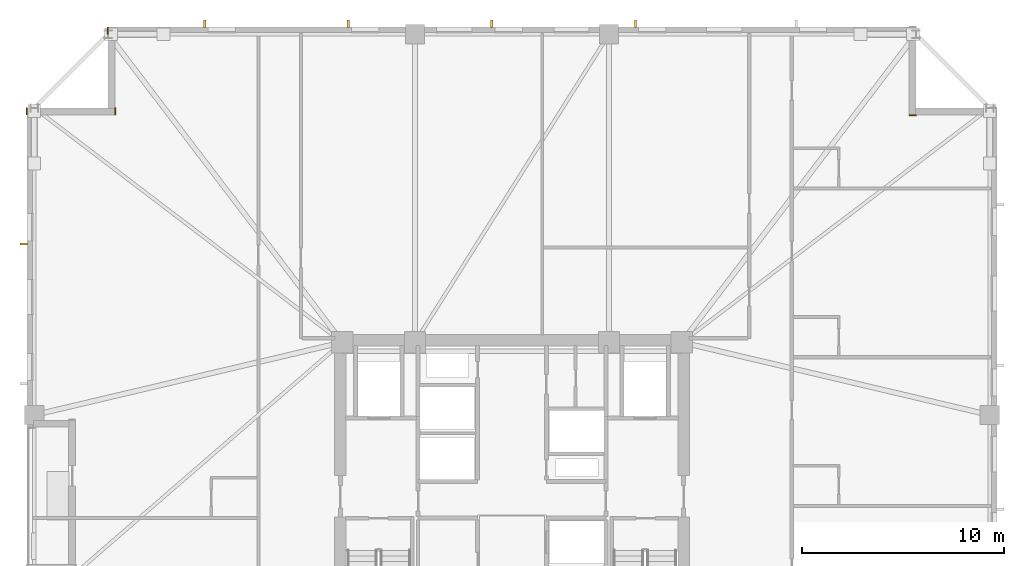
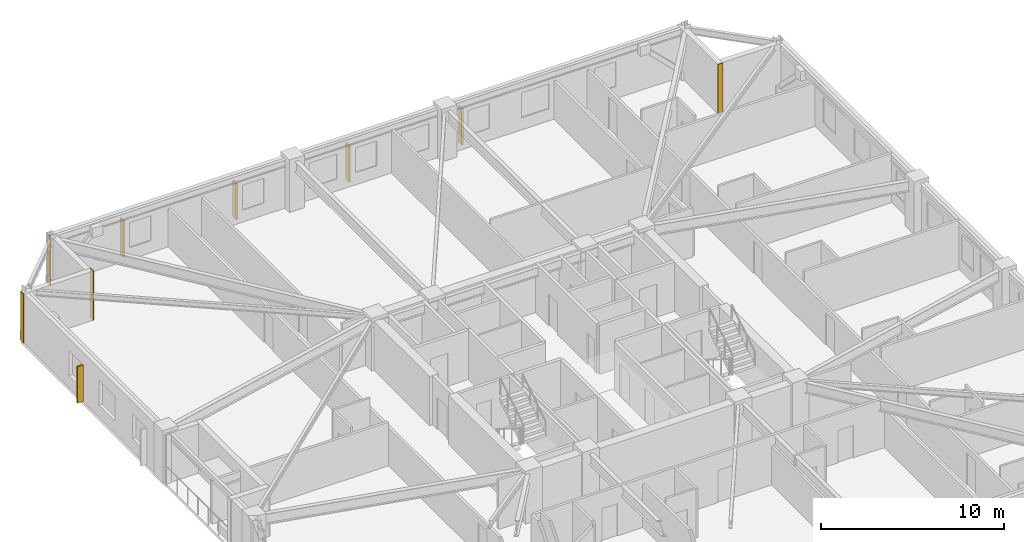
# One storey, part 10 of 11: 5 shading devices, 4 coverings.
"""IFC4 building model written with IfcOpenShell, lengths in metres."""

from ifc_helpers import new_model, si_unit, direction, frame, frame_2d, origin, origin_2d, place, context, subcontext, project, spatial, rectangle, extrude, material, layer, layer_set, type_object, element, save


model = new_model("IFC4")

# Units and contexts
model_context = context("Model", 3, precision=1e-05, world=origin(), true_north=direction((0.0, 1.0)))
body_context = subcontext(model_context, "Body", "Model", "MODEL_VIEW")
ifc_project = project(units=[si_unit("LENGTHUNIT", "METRE"), si_unit("AREAUNIT", "SQUARE_METRE"), si_unit("VOLUMEUNIT", "CUBIC_METRE"), si_unit("PLANEANGLEUNIT", "RADIAN"), si_unit("MASSUNIT", "GRAM", prefix="KILO")], contexts=[model_context])

# Site, building, storey
site_placement = place(None, origin())
site = spatial("IfcSite", under=ifc_project, at=site_placement, CompositionType="ELEMENT")
building_placement = place(site_placement, origin())
building = spatial("IfcBuilding", under=site, at=building_placement, Name="Cairnveth Concourse Tower", CompositionType="ELEMENT")
storey_placement = place(building_placement, frame((0.0, 0.0, 127.0)))
storey = spatial("IfcBuildingStorey", under=building, at=storey_placement, Name="L34", CompositionType="ELEMENT", Elevation=127.0)

# Coverings
ifc_material_1 = material(Name="Dressed Melbourne Bluestone Cladding", Category="masonry")
ifc_layer = layer(ifc_material_1, 0.050048828125)
ifc_layer_set = layer_set([ifc_layer], Name="Dressed Melbourne Bluestone Cladding")
covering_type = type_object("IfcCoveringType", Name="DRESSED BLUESTONE PLINTH CLADDING 50", PredefinedType="CLADDING", material=ifc_layer_set)
for number, where, z_axis, x_axis, name in (
    (1, (27.97998046875, 58.659912109375, 0.0), (0.0, 0.0, 1.0), (0.0, 1.0, 0.0), "Melbourne Bluestone Corner Quoin L34-484"),
    (2, (32.360107421875, 58.659912109375, 0.0), (0.0, 0.0, 1.0), (0.0, 1.0, 0.0), "Melbourne Bluestone Corner Quoin L34-485"),
    (3, (31.97998046875, 62.659912109375, 0.0), (0.0, 0.0, 1.0), (0.0, 1.0, 0.0), "Melbourne Bluestone Corner Quoin L34-486"),
    (4, (71.659912109375, 58.639892578125, 0.0), (0.0, 0.0, 1.0), (1.0, 0.0, 0.0), "Melbourne Bluestone Corner Quoin L34-488"),
):
    element("IfcCovering", number, at=place(storey_placement, frame(where, z_axis=z_axis, x_axis=x_axis)), inside=storey, type_object=covering_type, Name=name, PredefinedType="CLADDING", context=body_context, shape_type="SweptSolid", body=[
        extrude(rectangle(XDim=0.340087890625, YDim=0.050048828125, at=frame_2d((0.169921875, 0.0))), origin(), (0.0, 0.0, 1.0), 3.280029296875),
    ])

# Shading devices
ifc_material_2 = material(Name="Architectural Bronze Anodised Aluminium 6063-T6", Category="aluminium")
shading_device_type = type_object("IfcShadingDeviceType", Name="GOTHIC BRONZE VERTICAL LANCET FIN", PredefinedType="USERDEFINED", material=ifc_material_2)
for number, where, z_axis, x_axis, name in (
    (5, (27.824951171875, 52.2666015625, 0.030029296875), (0.0, 0.0, 1.0), (0.0, 1.0, 0.0), "Gothic Bronze Vertical Fin L34-0-3"),
    (6, (36.791748046875, 63.175048828125, 0.030029296875), (0.0, 0.0, 1.0), (1.0, 0.0, 0.0), "Gothic Bronze Vertical Fin L34-3-1"),
    (7, (43.89892578125, 63.175048828125, 0.030029296875), (0.0, 0.0, 1.0), (1.0, 0.0, 0.0), "Gothic Bronze Vertical Fin L34-3-3"),
    (8, (51.006103515625, 63.175048828125, 0.030029296875), (0.0, 0.0, 1.0), (1.0, 0.0, 0.0), "Gothic Bronze Vertical Fin L34-3-5"),
    (9, (58.113037109375, 63.175048828125, 0.030029296875), (0.0, 0.0, 1.0), (1.0, 0.0, 0.0), "Gothic Bronze Vertical Fin L34-3-7"),
):
    element("IfcShadingDevice", number, at=place(storey_placement, frame(where, z_axis=z_axis, x_axis=x_axis)), inside=storey, type_object=shading_device_type, Name=name, ObjectType="VERTICAL FIN", PredefinedType="USERDEFINED", context=body_context, shape_type="SweptSolid", body=[
        extrude(rectangle(XDim=0.1201171875, YDim=0.360107421875, at=origin_2d()), origin(), (0.0, 0.0, 1.0), 2.419921875),
    ])

save(model, "model.ifc")
